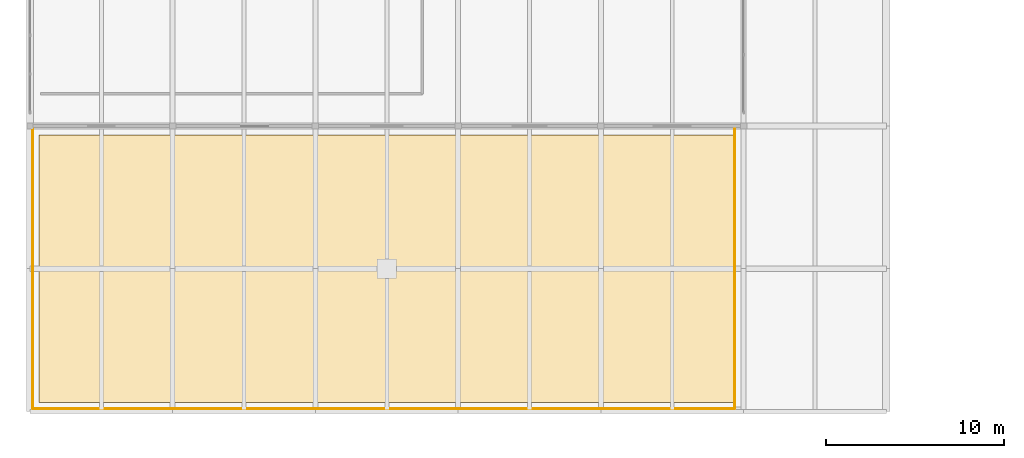
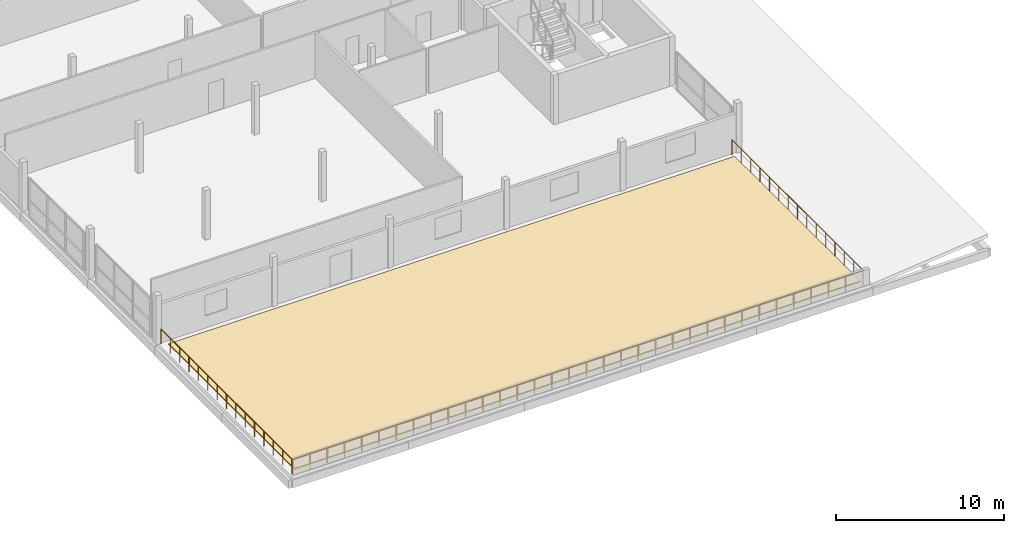
# One storey, part 20 of 25: 3 railings, 1 covering.
"""IFC4 building model written with IfcOpenShell, lengths in metres."""

import ifcopenshell
import ifcopenshell.guid

model = None  # the IFC model being written
_history = None  # IfcOwnerHistory: only IFC2X3 demands one
_inside = {}  # id of a spatial element -> (the spatial element, [elements in it])
_under = {}  # id of a project, library or spatial element -> (it, [spatial elements below it])
_declared = {}  # id of a project -> (the project, [libraries it declares])
_typed = {}  # id of a type object -> (the type object, [elements of that type])
_made_of = {}  # id of a material, layer set ... -> (it, [elements and type objects made of it])


def new_model(schema):
    """Start an empty IFC model of exactly this schema.

    Asked for "IFC4X3", IfcOpenShell would pick the latest addendum, in which some entities
    have other attributes; the version numbers below select the first issue.
    IFC2X3 requires an IfcOwnerHistory on every rooted entity: one is made here for all.
    """
    global model, _history
    if schema == "IFC4X3":
        model = ifcopenshell.file(schema_version=(4, 3, 0, 0))
    else:
        model = ifcopenshell.file(schema=schema)
    _inside.clear()
    _under.clear()
    _declared.clear()
    _typed.clear()
    _made_of.clear()
    _history = None
    if model.schema == "IFC2X3":
        org = make("IfcOrganization", Name="unknown")
        user = make(
            "IfcPersonAndOrganization",
            ThePerson=make("IfcPerson", FamilyName="unknown"),
            TheOrganization=org,
        )
        app = make(
            "IfcApplication",
            ApplicationDeveloper=org,
            Version="unknown",
            ApplicationFullName="unknown",
            ApplicationIdentifier="unknown",
        )
        _history = make(
            "IfcOwnerHistory",
            OwningUser=user,
            OwningApplication=app,
            ChangeAction="ADDED",
            CreationDate=0,
        )
    return model


def make(cls, **values):
    """One entity of the class cls with the attributes given. An attribute that is None is left unset."""
    return model.create_entity(
        cls, **{name: value for name, value in values.items() if value is not None}
    )


def rooted(cls, **values):
    """An entity with a GlobalId (a new one), such as an element, a storey or a relation."""
    return make(cls, GlobalId=ifcopenshell.guid.new(), OwnerHistory=_history, **values)


def si_unit(unit_type, name, prefix=None):
    """IfcSIUnit, for example si_unit("LENGTHUNIT", "METRE", prefix="MILLI")."""
    return make("IfcSIUnit", UnitType=unit_type, Prefix=prefix, Name=name)


def assignment(units):
    """IfcUnitAssignment: the units of a project."""
    return None if units is None else make("IfcUnitAssignment", Units=units)


def point(xyz):
    """IfcCartesianPoint."""
    return None if xyz is None else make("IfcCartesianPoint", Coordinates=xyz)


def direction(xyz):
    """IfcDirection."""
    return None if xyz is None else make("IfcDirection", DirectionRatios=xyz)


def frame(location, z_axis=None, x_axis=None):
    """IfcAxis2Placement3D, a coordinate frame: its origin and axes. An axis left out is left unset."""
    return make(
        "IfcAxis2Placement3D",
        Location=point(location),
        Axis=direction(z_axis),
        RefDirection=direction(x_axis),
    )


def frame_2d(location, x_axis=None):
    """IfcAxis2Placement2D, a coordinate frame in the plane: its origin and x axis."""
    return make(
        "IfcAxis2Placement2D", Location=point(location), RefDirection=direction(x_axis)
    )


def origin():
    """The frame at (0, 0, 0) with its axes left unset."""
    return frame((0.0, 0.0, 0.0))


def origin_2d():
    """The frame at (0, 0) in the plane with its x axis left unset."""
    return frame_2d((0.0, 0.0))


def place(relative_to, where):
    """IfcLocalPlacement: puts the frame where relative to a parent placement (None: the world)."""
    return make(
        "IfcLocalPlacement", PlacementRelTo=relative_to, RelativePlacement=where
    )


def context(
    kind, dimensions, precision=None, world=None, true_north=None, identifier=None
):
    """IfcGeometricRepresentationContext, for example the 3D "Model" context."""
    return make(
        "IfcGeometricRepresentationContext",
        ContextIdentifier=identifier,
        ContextType=kind,
        CoordinateSpaceDimension=dimensions,
        Precision=precision,
        WorldCoordinateSystem=world,
        TrueNorth=true_north,
    )


def subcontext(parent, identifier, kind, view, scale=None):
    """IfcGeometricRepresentationSubContext, for example "Body" below "Model"."""
    return make(
        "IfcGeometricRepresentationSubContext",
        ContextIdentifier=identifier,
        ContextType=kind,
        ParentContext=parent,
        TargetScale=scale,
        TargetView=view,
    )


def project(units=None, contexts=None):
    """IfcProject with its units and contexts."""
    return rooted(
        "IfcProject",
        Name="project",
        RepresentationContexts=contexts,
        UnitsInContext=assignment(units),
    )


def spatial(cls, under=None, at=None, **own):
    """A site, building, storey or space (cls), placed at a placement, below another one or the project."""
    s = rooted(cls, ObjectPlacement=at, **own)
    if under is not None:
        _under.setdefault(under.id(), (under, []))[1].append(s)
    return s


def polyline(points):
    """IfcPolyline through the points."""
    return make("IfcPolyline", Points=[point(p) for p in points])


def profile(cls, at=None, kind="AREA", **sizes):
    """A parametric profile (cls). Its sizes go by their IFC names, for example OverallWidth=200.0."""
    return make(cls, ProfileType=kind, Position=at, **sizes)


def circle(**sizes):
    """IfcCircleProfileDef."""
    return profile("IfcCircleProfileDef", **sizes)


def outline(outer, holes=None, kind="AREA"):
    """IfcArbitraryClosedProfileDef: a profile drawn as a closed curve; with holes, ...WithVoids."""
    if holes is None:
        return make("IfcArbitraryClosedProfileDef", ProfileType=kind, OuterCurve=outer)
    return make(
        "IfcArbitraryProfileDefWithVoids",
        ProfileType=kind,
        OuterCurve=outer,
        InnerCurves=holes,
    )


def extrude(swept, where, along, depth):
    """IfcExtrudedAreaSolid: the profile swept, set in the frame where, extruded along a direction by depth."""
    return make(
        "IfcExtrudedAreaSolid",
        SweptArea=swept,
        Position=where,
        ExtrudedDirection=direction(along),
        Depth=depth,
    )


def shape(context_of_items, identifier, shape_type, items):
    """IfcShapeRepresentation: the items that make up one representation, for example the "Body"."""
    return make(
        "IfcShapeRepresentation",
        ContextOfItems=context_of_items,
        RepresentationIdentifier=identifier,
        RepresentationType=shape_type,
        Items=items,
    )


def material(Name=None, Category=None):
    """IfcMaterial."""
    return make("IfcMaterial", Name=Name, Category=Category)


def layer(
    of_material, thickness, ventilated=None, Name=None, Category=None, Priority=None
):
    """IfcMaterialLayer: one layer of a wall or slab, of a material (None: an air gap)."""
    return make(
        "IfcMaterialLayer",
        Material=of_material,
        LayerThickness=thickness,
        IsVentilated=ventilated,
        Name=Name,
        Category=Category,
        Priority=Priority,
    )


def layer_set(layers, Name=None):
    """IfcMaterialLayerSet."""
    return make("IfcMaterialLayerSet", MaterialLayers=layers, LayerSetName=Name)


def made_of(thing, what):
    """Note that an element or type object is made of a material, layer set ...; save() writes the relation."""
    if what is not None:
        _made_of.setdefault(what.id(), (what, []))[1].append(thing)
    return thing


def type_object(cls, material=None, **own):
    """A type object (cls), such as IfcWallType, which elements share."""
    return made_of(rooted(cls, **own), material)


def element(
    cls,
    number,
    at=None,
    inside=None,
    cuts=None,
    type_object=None,
    material=None,
    context=None,
    identifier="Body",
    shape_type=None,
    held_by="IfcProductDefinitionShape",
    body=None,
    shapes=None,
    **own,
):
    """One element of the class cls, such as IfcWall. Its Tag is "e" and its number.

    at: its placement. inside: the storey or other place that contains it. cuts: it is an
    opening in that element (IfcRelVoidsElement). A single representation is given by context,
    identifier, shape_type and body (its items); several are given by shapes. held_by: the class
    of the entity that holds the representations. save() writes the other relations.
    """
    e = rooted(cls, Tag="e%d" % number, ObjectPlacement=at, **own)
    if body is not None:
        shapes = [shape(context, identifier, shape_type, body)]
    if shapes is not None:
        e.Representation = make(held_by, Representations=shapes)
    if inside is not None:
        _inside.setdefault(inside.id(), (inside, []))[1].append(e)
    if cuts is not None:
        rooted(
            "IfcRelVoidsElement", RelatingBuildingElement=cuts, RelatedOpeningElement=e
        )
    if type_object is not None:
        _typed.setdefault(type_object.id(), (type_object, []))[1].append(e)
    return made_of(e, material)


def aggregate(whole, parts):
    """IfcRelAggregates: a whole, such as a stair, and the parts it consists of."""
    return rooted("IfcRelAggregates", RelatingObject=whole, RelatedObjects=parts)


def save(model, path):
    """Write the relations noted so far, then the file.

    IfcRelAggregates (storeys below a building ...), IfcRelContainedInSpatialStructure (elements
    in a storey), IfcRelDefinesByType, IfcRelAssociatesMaterial and IfcRelDeclares: one each for
    every whole, place, type object, material and project.
    """
    for whole, parts in _under.values():
        aggregate(whole, parts)
    for where, things in _inside.values():
        rooted(
            "IfcRelContainedInSpatialStructure",
            RelatedElements=things,
            RelatingStructure=where,
        )
    for kind, things in _typed.values():
        rooted("IfcRelDefinesByType", RelatedObjects=things, RelatingType=kind)
    for what, things in _made_of.values():
        rooted("IfcRelAssociatesMaterial", RelatedObjects=things, RelatingMaterial=what)
    for by, libraries in _declared.values():
        rooted("IfcRelDeclares", RelatingContext=by, RelatedDefinitions=libraries)
    model.write(path)


model = new_model("IFC4")

# Units and contexts
model_context = context("Model", 3, precision=1e-05, world=origin(), true_north=direction((0.0, 1.0)))
body_context = subcontext(model_context, "Body", "Model", "MODEL_VIEW")
ifc_project = project(units=[si_unit("LENGTHUNIT", "METRE"), si_unit("AREAUNIT", "SQUARE_METRE"), si_unit("VOLUMEUNIT", "CUBIC_METRE"), si_unit("PLANEANGLEUNIT", "RADIAN"), si_unit("MASSUNIT", "GRAM", prefix="KILO")], contexts=[model_context])

# Site, building, storey
site_placement = place(None, origin())
site = spatial("IfcSite", under=ifc_project, at=site_placement, CompositionType="ELEMENT")
building_placement = place(site_placement, origin())
building = spatial("IfcBuilding", under=site, at=building_placement, Name="Vharandega Faculty of Natural Sciences", CompositionType="ELEMENT")
storey_placement = place(building_placement, frame((0.0, 0.0, 25.199951171875)))
storey = spatial("IfcBuildingStorey", under=building, at=storey_placement, Name="L06", CompositionType="ELEMENT", Elevation=25.199951171875)

# Covering
ifc_material_1 = material(Name="Single-ply TPO waterproofing membrane and insulation", Category="concrete")
ifc_layer = layer(ifc_material_1, 0.080078125, Name="Single-ply TPO waterproofing membrane and insulation")
ifc_layer_set = layer_set([ifc_layer], Name="Single-ply TPO waterproofing membrane and insulation")
covering_type = type_object("IfcCoveringType", Name="Insulated Waterproofing Roof Membrane", PredefinedType="ROOFING", material=ifc_layer_set)
covering_placement = place(storey_placement, origin())
element("IfcCovering", 1, at=covering_placement, inside=storey, type_object=covering_type, Name="Roof Covering L06-03", PredefinedType="ROOFING", context=body_context, shape_type="SweptSolid", body=[
    extrude(outline(polyline([(0.5, 16.5), (39.5, 16.5), (39.5, 31.5), (0.5, 31.5), (0.5, 16.5)])), origin(), (0.0, 0.0, 1.0), 0.080078125),
])

# Railings
ifc_material_2 = material(Name="Galvanised painted steel balustrade", Category="steel")
railing_type = type_object("IfcRailingType", Name="Terrace Steel Guardrail 1100", PredefinedType="GUARDRAIL", material=ifc_material_2)
railing_1_placement = place(storey_placement, frame((0.14990234375, 31.824951171875, 0.0)))
element("IfcRailing", 2, at=railing_1_placement, inside=storey, type_object=railing_type, Name="Guardrail L06 #1", PredefinedType="GUARDRAIL", context=body_context, shape_type="SweptSolid", body=[
    extrude(circle(Radius=0.02392578125, at=origin_2d()), frame((0.0, 0.0, 1.076171875), z_axis=(0.0, -1.0, 0.0), x_axis=(1.0, 0.0, 0.0)), (0.0, 0.0, 1.0), 15.64990234375),
    extrude(circle(Radius=0.02099609375, at=origin_2d()), origin(), (0.0, 0.0, 1.0), 1.052001953125),
    extrude(circle(Radius=0.02099609375, at=origin_2d()), frame((0.0, -1.117919921875, 0.0)), (0.0, 0.0, 1.0), 1.052001953125),
    extrude(circle(Radius=0.02099609375, at=origin_2d()), frame((0.0, -2.235595703125, 0.0)), (0.0, 0.0, 1.0), 1.052001953125),
    extrude(circle(Radius=0.02099609375, at=origin_2d()), frame((0.0, -3.353515625, 0.0)), (0.0, 0.0, 1.0), 1.052001953125),
    extrude(circle(Radius=0.02099609375, at=origin_2d()), frame((0.0, -4.471435546875, 0.0)), (0.0, 0.0, 1.0), 1.052001953125),
    extrude(circle(Radius=0.02099609375, at=origin_2d()), frame((0.0, -5.58935546875, 0.0)), (0.0, 0.0, 1.0), 1.052001953125),
    extrude(circle(Radius=0.02099609375, at=origin_2d()), frame((0.0, -6.70703125, 0.0)), (0.0, 0.0, 1.0), 1.052001953125),
    extrude(circle(Radius=0.02099609375, at=origin_2d()), frame((0.0, -7.824951171875, 0.0)), (0.0, 0.0, 1.0), 1.052001953125),
    extrude(circle(Radius=0.02099609375, at=origin_2d()), frame((0.0, -8.94287109375, 0.0)), (0.0, 0.0, 1.0), 1.052001953125),
    extrude(circle(Radius=0.02099609375, at=origin_2d()), frame((0.0, -10.060546875, 0.0)), (0.0, 0.0, 1.0), 1.052001953125),
    extrude(circle(Radius=0.02099609375, at=origin_2d()), frame((0.0, -11.178466796875, 0.0)), (0.0, 0.0, 1.0), 1.052001953125),
    extrude(circle(Radius=0.02099609375, at=origin_2d()), frame((0.0, -12.29638671875, 0.0)), (0.0, 0.0, 1.0), 1.052001953125),
    extrude(circle(Radius=0.02099609375, at=origin_2d()), frame((0.0, -13.414306640625, 0.0)), (0.0, 0.0, 1.0), 1.052001953125),
    extrude(circle(Radius=0.02099609375, at=origin_2d()), frame((0.0, -14.531982421875, 0.0)), (0.0, 0.0, 1.0), 1.052001953125),
    extrude(circle(Radius=0.02099609375, at=origin_2d()), frame((0.0, -15.64990234375, 0.0)), (0.0, 0.0, 1.0), 1.052001953125),
])
railing_2_placement = place(storey_placement, frame((0.175048828125, 16.14990234375, 0.0)))
element("IfcRailing", 3, at=railing_2_placement, inside=storey, type_object=railing_type, Name="Guardrail L06 #2", PredefinedType="GUARDRAIL", context=body_context, shape_type="SweptSolid", body=[
    extrude(circle(Radius=0.02392578125, at=origin_2d()), frame((0.0, 0.0, 1.076171875), z_axis=(1.0, 0.0, 0.0), x_axis=(0.0, 1.0, 0.0)), (0.0, 0.0, 1.0), 39.300048828125),
    extrude(circle(Radius=0.02099609375, at=origin_2d()), origin(), (0.0, 0.0, 1.0), 1.052001953125),
    extrude(circle(Radius=0.02099609375, at=origin_2d()), frame((1.19091796875, 0.0, 0.0)), (0.0, 0.0, 1.0), 1.052001953125),
    extrude(circle(Radius=0.02099609375, at=origin_2d()), frame((2.3818359375, 0.0, 0.0)), (0.0, 0.0, 1.0), 1.052001953125),
    extrude(circle(Radius=0.02099609375, at=origin_2d()), frame((3.57275390625, 0.0, 0.0)), (0.0, 0.0, 1.0), 1.052001953125),
    extrude(circle(Radius=0.02099609375, at=origin_2d()), frame((4.763671875, 0.0, 0.0)), (0.0, 0.0, 1.0), 1.052001953125),
    extrude(circle(Radius=0.02099609375, at=origin_2d()), frame((5.95458984375, 0.0, 0.0)), (0.0, 0.0, 1.0), 1.052001953125),
    extrude(circle(Radius=0.02099609375, at=origin_2d()), frame((7.1455078125, 0.0, 0.0)), (0.0, 0.0, 1.0), 1.052001953125),
    extrude(circle(Radius=0.02099609375, at=origin_2d()), frame((8.33642578125, 0.0, 0.0)), (0.0, 0.0, 1.0), 1.052001953125),
    extrude(circle(Radius=0.02099609375, at=origin_2d()), frame((9.52734375, 0.0, 0.0)), (0.0, 0.0, 1.0), 1.052001953125),
    extrude(circle(Radius=0.02099609375, at=origin_2d()), frame((10.71826171875, 0.0, 0.0)), (0.0, 0.0, 1.0), 1.052001953125),
    extrude(circle(Radius=0.02099609375, at=origin_2d()), frame((11.9091796875, 0.0, 0.0)), (0.0, 0.0, 1.0), 1.052001953125),
    extrude(circle(Radius=0.02099609375, at=origin_2d()), frame((13.10009765625, 0.0, 0.0)), (0.0, 0.0, 1.0), 1.052001953125),
    extrude(circle(Radius=0.02099609375, at=origin_2d()), frame((14.291015625, 0.0, 0.0)), (0.0, 0.0, 1.0), 1.052001953125),
    extrude(circle(Radius=0.02099609375, at=origin_2d()), frame((15.48193359375, 0.0, 0.0)), (0.0, 0.0, 1.0), 1.052001953125),
    extrude(circle(Radius=0.02099609375, at=origin_2d()), frame((16.6728515625, 0.0, 0.0)), (0.0, 0.0, 1.0), 1.052001953125),
    extrude(circle(Radius=0.02099609375, at=origin_2d()), frame((17.86376953125, 0.0, 0.0)), (0.0, 0.0, 1.0), 1.052001953125),
    extrude(circle(Radius=0.02099609375, at=origin_2d()), frame((19.0546875, 0.0, 0.0)), (0.0, 0.0, 1.0), 1.052001953125),
    extrude(circle(Radius=0.02099609375, at=origin_2d()), frame((20.245361328125, 0.0, 0.0)), (0.0, 0.0, 1.0), 1.052001953125),
    extrude(circle(Radius=0.02099609375, at=origin_2d()), frame((21.436279296875, 0.0, 0.0)), (0.0, 0.0, 1.0), 1.052001953125),
    extrude(circle(Radius=0.02099609375, at=origin_2d()), frame((22.627197265625, 0.0, 0.0)), (0.0, 0.0, 1.0), 1.052001953125),
    extrude(circle(Radius=0.02099609375, at=origin_2d()), frame((23.818115234375, 0.0, 0.0)), (0.0, 0.0, 1.0), 1.052001953125),
    extrude(circle(Radius=0.02099609375, at=origin_2d()), frame((25.009033203125, 0.0, 0.0)), (0.0, 0.0, 1.0), 1.052001953125),
    extrude(circle(Radius=0.02099609375, at=origin_2d()), frame((26.199951171875, 0.0, 0.0)), (0.0, 0.0, 1.0), 1.052001953125),
    extrude(circle(Radius=0.02099609375, at=origin_2d()), frame((27.390869140625, 0.0, 0.0)), (0.0, 0.0, 1.0), 1.052001953125),
    extrude(circle(Radius=0.02099609375, at=origin_2d()), frame((28.581787109375, 0.0, 0.0)), (0.0, 0.0, 1.0), 1.052001953125),
    extrude(circle(Radius=0.02099609375, at=origin_2d()), frame((29.772705078125, 0.0, 0.0)), (0.0, 0.0, 1.0), 1.052001953125),
    extrude(circle(Radius=0.02099609375, at=origin_2d()), frame((30.963623046875, 0.0, 0.0)), (0.0, 0.0, 1.0), 1.052001953125),
    extrude(circle(Radius=0.02099609375, at=origin_2d()), frame((32.154541015625, 0.0, 0.0)), (0.0, 0.0, 1.0), 1.052001953125),
    extrude(circle(Radius=0.02099609375, at=origin_2d()), frame((33.345458984375, 0.0, 0.0)), (0.0, 0.0, 1.0), 1.052001953125),
    extrude(circle(Radius=0.02099609375, at=origin_2d()), frame((34.536376953125, 0.0, 0.0)), (0.0, 0.0, 1.0), 1.052001953125),
    extrude(circle(Radius=0.02099609375, at=origin_2d()), frame((35.727294921875, 0.0, 0.0)), (0.0, 0.0, 1.0), 1.052001953125),
    extrude(circle(Radius=0.02099609375, at=origin_2d()), frame((36.918212890625, 0.0, 0.0)), (0.0, 0.0, 1.0), 1.052001953125),
    extrude(circle(Radius=0.02099609375, at=origin_2d()), frame((38.109130859375, 0.0, 0.0)), (0.0, 0.0, 1.0), 1.052001953125),
    extrude(circle(Radius=0.02099609375, at=origin_2d()), frame((39.300048828125, 0.0, 0.0)), (0.0, 0.0, 1.0), 1.052001953125),
])
railing_3_placement = place(storey_placement, frame((39.5, 16.175048828125, 0.0)))
element("IfcRailing", 4, at=railing_3_placement, inside=storey, type_object=railing_type, Name="Guardrail L06 #3", PredefinedType="GUARDRAIL", context=body_context, shape_type="SweptSolid", body=[
    extrude(circle(Radius=0.02392578125, at=origin_2d()), frame((0.0, 0.0, 1.076171875), z_axis=(0.0, 1.0, 0.0), x_axis=(-1.0, 0.0, 0.0)), (0.0, 0.0, 1.0), 15.64990234375),
    extrude(circle(Radius=0.02099609375, at=origin_2d()), origin(), (0.0, 0.0, 1.0), 1.052001953125),
    extrude(circle(Radius=0.02099609375, at=origin_2d()), frame((0.0, 1.117919921875, 0.0)), (0.0, 0.0, 1.0), 1.052001953125),
    extrude(circle(Radius=0.02099609375, at=origin_2d()), frame((0.0, 2.235595703125, 0.0)), (0.0, 0.0, 1.0), 1.052001953125),
    extrude(circle(Radius=0.02099609375, at=origin_2d()), frame((0.0, 3.353515625, 0.0)), (0.0, 0.0, 1.0), 1.052001953125),
    extrude(circle(Radius=0.02099609375, at=origin_2d()), frame((0.0, 4.471435546875, 0.0)), (0.0, 0.0, 1.0), 1.052001953125),
    extrude(circle(Radius=0.02099609375, at=origin_2d()), frame((0.0, 5.58935546875, 0.0)), (0.0, 0.0, 1.0), 1.052001953125),
    extrude(circle(Radius=0.02099609375, at=origin_2d()), frame((0.0, 6.70703125, 0.0)), (0.0, 0.0, 1.0), 1.052001953125),
    extrude(circle(Radius=0.02099609375, at=origin_2d()), frame((0.0, 7.824951171875, 0.0)), (0.0, 0.0, 1.0), 1.052001953125),
    extrude(circle(Radius=0.02099609375, at=origin_2d()), frame((0.0, 8.94287109375, 0.0)), (0.0, 0.0, 1.0), 1.052001953125),
    extrude(circle(Radius=0.02099609375, at=origin_2d()), frame((0.0, 10.060546875, 0.0)), (0.0, 0.0, 1.0), 1.052001953125),
    extrude(circle(Radius=0.02099609375, at=origin_2d()), frame((0.0, 11.178466796875, 0.0)), (0.0, 0.0, 1.0), 1.052001953125),
    extrude(circle(Radius=0.02099609375, at=origin_2d()), frame((0.0, 12.29638671875, 0.0)), (0.0, 0.0, 1.0), 1.052001953125),
    extrude(circle(Radius=0.02099609375, at=origin_2d()), frame((0.0, 13.414306640625, 0.0)), (0.0, 0.0, 1.0), 1.052001953125),
    extrude(circle(Radius=0.02099609375, at=origin_2d()), frame((0.0, 14.531982421875, 0.0)), (0.0, 0.0, 1.0), 1.052001953125),
    extrude(circle(Radius=0.02099609375, at=origin_2d()), frame((0.0, 15.64990234375, 0.0)), (0.0, 0.0, 1.0), 1.052001953125),
])

save(model, "model.ifc")
